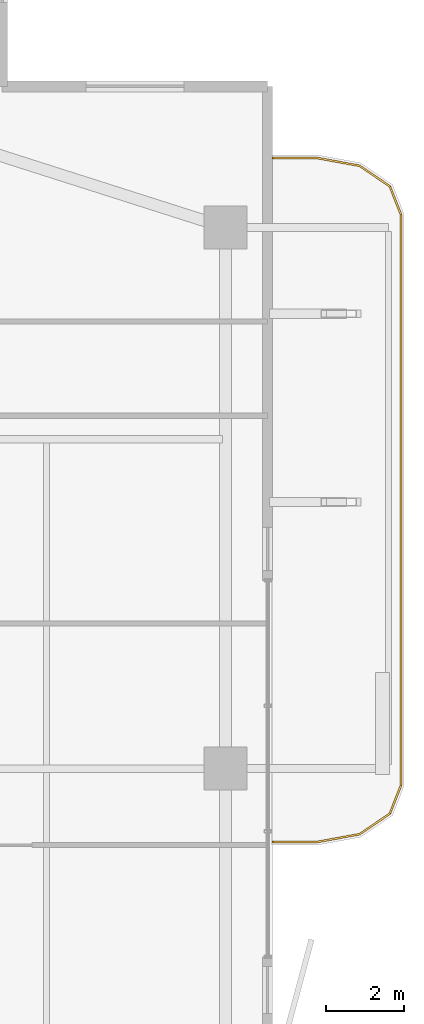
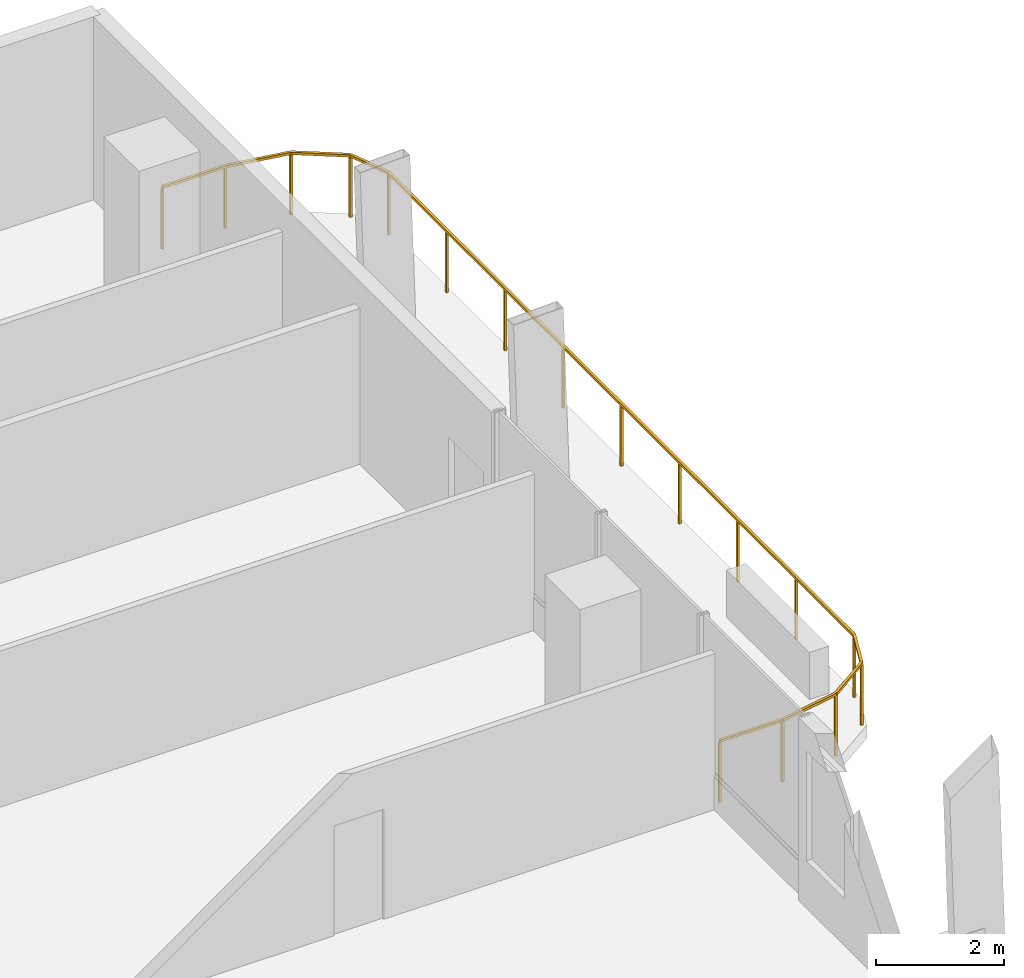
# One storey, part 25 of 25: 1 railing.
"""IFC4 building model written with IfcOpenShell, lengths in metres."""

from ifc_helpers import new_model, si_unit, direction, frame, origin, origin_2d, place, context, subcontext, project, spatial, rectangle, extrude, material, type_object, element, save


model = new_model("IFC4")

# Units and contexts
model_context = context("Model", 3, precision=1e-05, world=origin(), true_north=direction((0.0, 1.0)))
body_context = subcontext(model_context, "Body", "Model", "MODEL_VIEW")
ifc_project = project(units=[si_unit("LENGTHUNIT", "METRE"), si_unit("AREAUNIT", "SQUARE_METRE"), si_unit("VOLUMEUNIT", "CUBIC_METRE"), si_unit("PLANEANGLEUNIT", "RADIAN"), si_unit("MASSUNIT", "GRAM", prefix="KILO")], contexts=[model_context])

# Site, building, storey
site_placement = place(None, origin())
site = spatial("IfcSite", under=ifc_project, at=site_placement, CompositionType="ELEMENT")
building_placement = place(site_placement, origin())
building = spatial("IfcBuilding", under=site, at=building_placement, Name="Belovzor Exchange Tower", CompositionType="ELEMENT")
storey_placement = place(building_placement, frame((0.0, 0.0, 142.050048828125)))
storey = spatial("IfcBuildingStorey", under=building, at=storey_placement, Name="L34", CompositionType="ELEMENT", Elevation=142.050048828125)

# Railing
ifc_material = material(Name="Stainless Steel and Laminated Safety Glass", Category="steel")
railing_type = type_object("IfcRailingType", Name="Laminated Glass & Stainless Steel Balcony Balustrade 1200", PredefinedType="BALUSTRADE", material=ifc_material)
railing_placement = place(storey_placement, frame((53.110107421875, 26.929931640625, 0.0)))
element("IfcRailing", 1, at=railing_placement, inside=storey, type_object=railing_type, Name="GR-1 Balcony Balustrade L34 East", PredefinedType="BALUSTRADE", context=body_context, shape_type="SweptSolid", body=[
    extrude(rectangle(XDim=0.048095703125, YDim=0.048095703125, at=origin_2d()), frame((0.0, 0.0, 1.17578125), z_axis=(1.0, 0.0, 0.0), x_axis=(0.0, 1.0, 0.0)), (0.0, 0.0, 1.0), 1.1328125),
    extrude(rectangle(XDim=0.048095703125, YDim=0.048095703125, at=origin_2d()), frame((1.1328125, 0.0, 1.17578125), z_axis=(0.983651385113, 0.180083182347, 0.0), x_axis=(-0.180083182347, 0.983651385113, 0.0)), (0.0, 0.0, 1.0), 1.093994140625),
    extrude(rectangle(XDim=0.048095703125, YDim=0.048095703125, at=origin_2d()), frame((2.208984375, 0.197021484375, 1.17578125), z_axis=(0.826493025367, 0.56294695933, 0.0), x_axis=(-0.56294695933, 0.826493025367, 0.0)), (0.0, 0.0, 1.0), 0.932861328125),
    extrude(rectangle(XDim=0.048095703125, YDim=0.048095703125, at=origin_2d()), frame((2.97998046875, 0.72216796875, 1.17578125), z_axis=(0.365612923861, 0.930766990125, 0.0), x_axis=(-0.930766990125, 0.365612923861, 0.0)), (0.0, 0.0, 1.0), 0.765869140625),
    extrude(rectangle(XDim=0.048095703125, YDim=0.048095703125, at=origin_2d()), frame((3.260009765625, 1.43505859375, 1.17578125), z_axis=(0.0, 1.0, 0.0), x_axis=(-1.0, 0.0, 0.0)), (0.0, 0.0, 1.0), 14.570068359375),
    extrude(rectangle(XDim=0.048095703125, YDim=0.048095703125, at=origin_2d()), frame((3.260009765625, 16.005126953125, 1.17578125), z_axis=(-0.365612923861, 0.930766990125, 0.0), x_axis=(-0.930766990125, -0.365612923861, 0.0)), (0.0, 0.0, 1.0), 0.765869140625),
    extrude(rectangle(XDim=0.048095703125, YDim=0.048095703125, at=origin_2d()), frame((2.97998046875, 16.718017578125, 1.17578125), z_axis=(-0.826493025367, 0.56294695933, 0.0), x_axis=(-0.56294695933, -0.826493025367, 0.0)), (0.0, 0.0, 1.0), 0.932861328125),
    extrude(rectangle(XDim=0.048095703125, YDim=0.048095703125, at=origin_2d()), frame((2.208984375, 17.2431640625, 1.17578125), z_axis=(-0.983651385113, 0.180083182347, 0.0), x_axis=(-0.180083182347, -0.983651385113, 0.0)), (0.0, 0.0, 1.0), 1.093994140625),
    extrude(rectangle(XDim=0.048095703125, YDim=0.048095703125, at=origin_2d()), frame((1.1328125, 17.440185546875, 1.17578125), z_axis=(-1.0, 0.0, 0.0), x_axis=(0.0, -1.0, 0.0)), (0.0, 0.0, 1.0), 1.1328125),
    extrude(rectangle(XDim=0.0419921875, YDim=0.0419921875, at=origin_2d()), origin(), (0.0, 0.0, 1.0), 1.15185546875),
    extrude(rectangle(XDim=0.0419921875, YDim=0.0419921875, at=origin_2d()), frame((1.1328125, 0.0, 0.0)), (0.0, 0.0, 1.0), 1.15185546875),
    extrude(rectangle(XDim=0.0419921875, YDim=0.0419921875, at=origin_2d()), frame((2.208984375, 0.197021484375, 0.0)), (0.0, 0.0, 1.0), 1.15185546875),
    extrude(rectangle(XDim=0.0419921875, YDim=0.0419921875, at=origin_2d()), frame((2.97998046875, 0.72216796875, 0.0)), (0.0, 0.0, 1.0), 1.15185546875),
    extrude(rectangle(XDim=0.0419921875, YDim=0.0419921875, at=origin_2d()), frame((3.260009765625, 1.43505859375, 0.0)), (0.0, 0.0, 1.0), 1.15185546875),
    extrude(rectangle(XDim=0.0419921875, YDim=0.0419921875, at=origin_2d()), frame((3.260009765625, 3.25634765625, 0.0)), (0.0, 0.0, 1.0), 1.15185546875),
    extrude(rectangle(XDim=0.0419921875, YDim=0.0419921875, at=origin_2d()), frame((3.260009765625, 5.07763671875, 0.0)), (0.0, 0.0, 1.0), 1.15185546875),
    extrude(rectangle(XDim=0.0419921875, YDim=0.0419921875, at=origin_2d()), frame((3.260009765625, 6.89892578125, 0.0)), (0.0, 0.0, 1.0), 1.15185546875),
    extrude(rectangle(XDim=0.0419921875, YDim=0.0419921875, at=origin_2d()), frame((3.260009765625, 8.72021484375, 0.0)), (0.0, 0.0, 1.0), 1.15185546875),
    extrude(rectangle(XDim=0.0419921875, YDim=0.0419921875, at=origin_2d()), frame((3.260009765625, 10.541259765625, 0.0)), (0.0, 0.0, 1.0), 1.15185546875),
    extrude(rectangle(XDim=0.0419921875, YDim=0.0419921875, at=origin_2d()), frame((3.260009765625, 12.362548828125, 0.0)), (0.0, 0.0, 1.0), 1.15185546875),
    extrude(rectangle(XDim=0.0419921875, YDim=0.0419921875, at=origin_2d()), frame((3.260009765625, 14.183837890625, 0.0)), (0.0, 0.0, 1.0), 1.15185546875),
    extrude(rectangle(XDim=0.0419921875, YDim=0.0419921875, at=origin_2d()), frame((3.260009765625, 16.005126953125, 0.0)), (0.0, 0.0, 1.0), 1.15185546875),
    extrude(rectangle(XDim=0.0419921875, YDim=0.0419921875, at=origin_2d()), frame((2.97998046875, 16.718017578125, 0.0)), (0.0, 0.0, 1.0), 1.15185546875),
    extrude(rectangle(XDim=0.0419921875, YDim=0.0419921875, at=origin_2d()), frame((2.208984375, 17.2431640625, 0.0)), (0.0, 0.0, 1.0), 1.15185546875),
    extrude(rectangle(XDim=0.0419921875, YDim=0.0419921875, at=origin_2d()), frame((1.1328125, 17.440185546875, 0.0)), (0.0, 0.0, 1.0), 1.15185546875),
    extrude(rectangle(XDim=0.0419921875, YDim=0.0419921875, at=origin_2d()), frame((0.0, 17.440185546875, 0.0)), (0.0, 0.0, 1.0), 1.15185546875),
])

save(model, "model.ifc")
